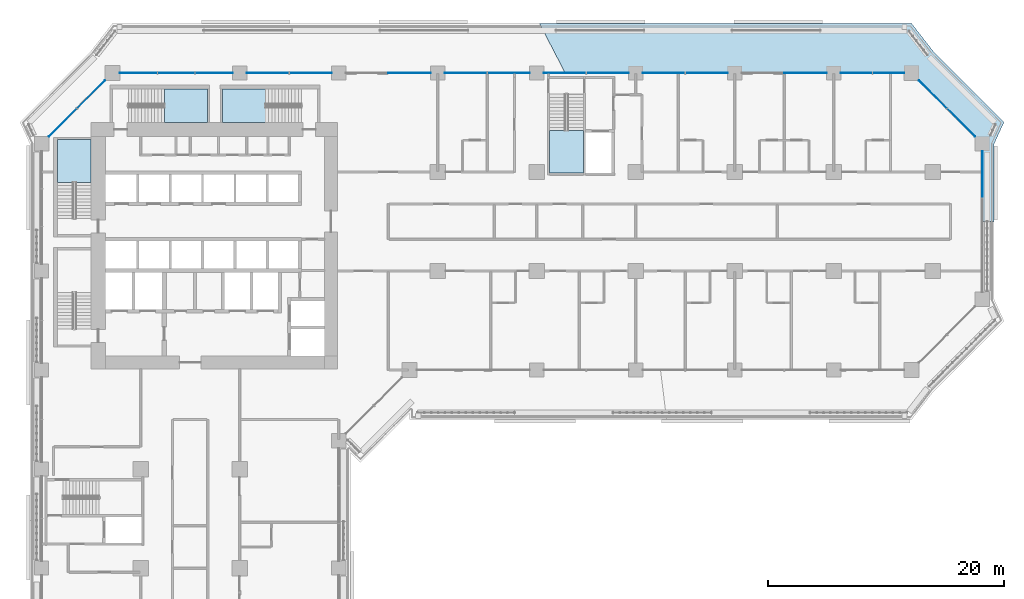
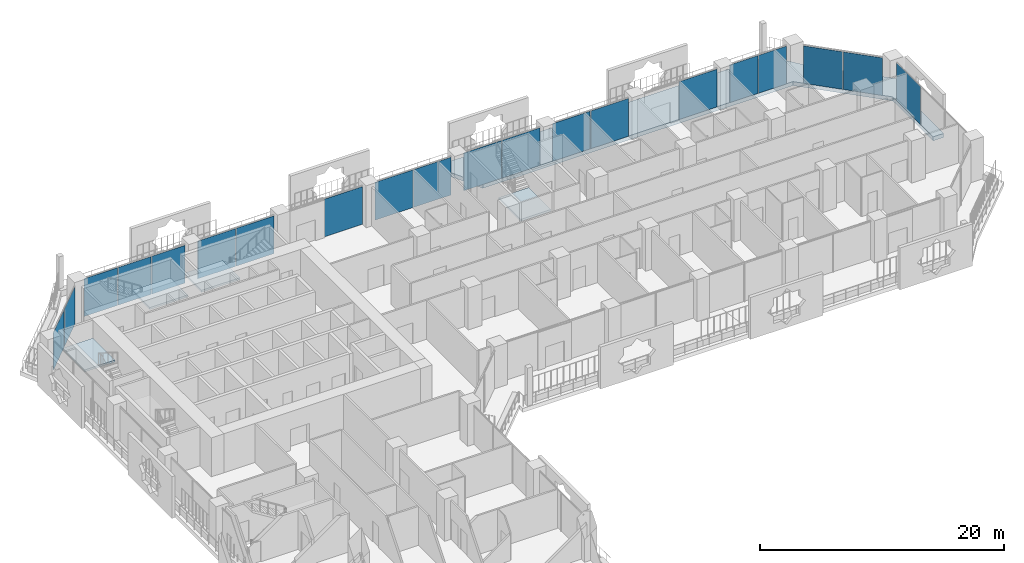
# One storey, part 12 of 28: 20 plates, 5 slabs, 8 elements without a shape of their own.
"""IFC4 building model written with IfcOpenShell, lengths in metres."""

from ifc_helpers import new_model, si_unit, direction, frame, origin, origin_2d, place, context, subcontext, project, spatial, polyline, rectangle, outline, extrude, material, layer, layer_set, type_object, element, aggregate, save


model = new_model("IFC4")

# Units and contexts
model_context = context("Model", 3, precision=1e-05, world=origin(), true_north=direction((0.0, 1.0)))
body_context = subcontext(model_context, "Body", "Model", "MODEL_VIEW")
ifc_project = project(units=[si_unit("LENGTHUNIT", "METRE"), si_unit("AREAUNIT", "SQUARE_METRE"), si_unit("VOLUMEUNIT", "CUBIC_METRE"), si_unit("PLANEANGLEUNIT", "RADIAN"), si_unit("MASSUNIT", "GRAM", prefix="KILO")], contexts=[model_context])

# Site, building, storey
site_placement = place(None, origin())
site = spatial("IfcSite", under=ifc_project, at=site_placement, CompositionType="ELEMENT")
building_placement = place(site_placement, origin())
building = spatial("IfcBuilding", under=site, at=building_placement, Name="Kawkab Arch Medical Tower", CompositionType="ELEMENT")
storey_placement = place(building_placement, frame((0.0, 0.0, 68.60009765625)))
storey = spatial("IfcBuildingStorey", under=building, at=storey_placement, Name="L15", CompositionType="ELEMENT", Elevation=68.60009765625)

# Curtain wall, plate
ifc_material_1 = material(Name="Bronze anodised aluminium curtain wall frame", Category="aluminium")
ifc_layer_1 = layer(ifc_material_1, 0.159912109375)
ifc_layer_set_1 = layer_set([ifc_layer_1], Name="Bronze anodised aluminium curtain wall frame")
curtain_wall_type_1 = type_object("IfcCurtainWallType", Name="CW1 ward curtain wall", PredefinedType="NOTDEFINED", material=ifc_layer_set_1)
placement_1 = place(storey_placement, origin())
curtain_wall_1 = element("IfcCurtainWall", 1, at=placement_1, inside=storey, type_object=curtain_wall_type_1, Name="CW1 Ward curtain wall R09", PredefinedType="NOTDEFINED")
ifc_material_2 = material(Name="Tinted insulating glass, bronze low-e coating", Category="glass")
ifc_layer_2 = layer(ifc_material_2, 0.031982421875)
ifc_layer_set_2 = layer_set([ifc_layer_2], Name="Tinted insulating glass, bronze low-e coating")
plate_type_1 = type_object("IfcPlateType", Name="CW1 glazing unit 32", PredefinedType="CURTAIN_PANEL", material=ifc_layer_set_2)
plate_1_placement = place(storey_placement, frame((79.800048828125, -8.6015625, 0.0), z_axis=(0.0, 0.0, 1.0), x_axis=(0.0, 1.0, 0.0)))
plate_1 = element("IfcPlate", 2, at=plate_1_placement, type_object=plate_type_1, Name="CW1 glazing unit 1.3", PredefinedType="CURTAIN_PANEL", context=body_context, shape_type="SweptSolid", body=[
    extrude(rectangle(XDim=3.953369140625, YDim=0.031982421875, at=origin_2d()), origin(), (0.0, 0.0, 1.0), 3.780029296875),
])
aggregate(curtain_wall_1, [plate_1])

# Curtain wall, plates
curtain_wall_2 = element("IfcCurtainWall", 3, at=placement_1, inside=storey, type_object=curtain_wall_type_1, Name="CW1 Ward curtain wall R11", PredefinedType="NOTDEFINED")
plate_2_placement = place(storey_placement, frame((71.84619140625, 0.0, 0.0), z_axis=(0.0, 0.0, 1.0), x_axis=(-1.0, 0.0, 0.0)))
plate_2 = element("IfcPlate", 4, at=plate_2_placement, type_object=plate_type_1, Name="CW1 glazing unit 1.1", PredefinedType="CURTAIN_PANEL", context=body_context, shape_type="SweptSolid", body=[
    extrude(rectangle(XDim=2.657470703125, YDim=0.031982421875, at=origin_2d()), origin(), (0.0, 0.0, 1.0), 3.780029296875),
])
plate_3_placement = place(storey_placement, frame((69.128662109375, 0.0, 0.0), z_axis=(0.0, 0.0, 1.0), x_axis=(-1.0, 0.0, 0.0)))
plate_3 = element("IfcPlate", 5, at=plate_3_placement, type_object=plate_type_1, Name="CW1 glazing unit 1.2", PredefinedType="CURTAIN_PANEL", context=body_context, shape_type="SweptSolid", body=[
    extrude(rectangle(XDim=2.657470703125, YDim=0.031982421875, at=origin_2d()), origin(), (0.0, 0.0, 1.0), 3.780029296875),
])
plate_4_placement = place(storey_placement, frame((64.800048828125, 0.0, 0.0), z_axis=(0.0, 0.0, 1.0), x_axis=(-1.0, 0.0, 0.0)))
plate_4 = element("IfcPlate", 6, at=plate_4_placement, type_object=plate_type_1, Name="CW1 glazing unit 2.1", PredefinedType="CURTAIN_PANEL", context=body_context, shape_type="SweptSolid", body=[
    extrude(rectangle(XDim=3.60009765625, YDim=0.031982421875, at=origin_2d()), origin(), (0.0, 0.0, 1.0), 3.780029296875),
])
plate_5_placement = place(storey_placement, frame((56.4150390625, 0.0, 0.0), z_axis=(0.0, 0.0, 1.0), x_axis=(-1.0, 0.0, 0.0)))
plate_5 = element("IfcPlate", 7, at=plate_5_placement, type_object=plate_type_1, Name="CW1 glazing unit 3.1", PredefinedType="CURTAIN_PANEL", context=body_context, shape_type="SweptSolid", body=[
    extrude(rectangle(XDim=3.570068359375, YDim=0.031982421875, at=origin_2d()), origin(), (0.0, 0.0, 1.0), 3.780029296875),
])
plate_6_placement = place(storey_placement, frame((52.784912109375, 0.0, 0.0), z_axis=(0.0, 0.0, 1.0), x_axis=(-1.0, 0.0, 0.0)))
plate_6 = element("IfcPlate", 8, at=plate_6_placement, type_object=plate_type_1, Name="CW1 glazing unit 3.2", PredefinedType="CURTAIN_PANEL", context=body_context, shape_type="SweptSolid", body=[
    extrude(rectangle(XDim=3.570068359375, YDim=0.031982421875, at=origin_2d()), origin(), (0.0, 0.0, 1.0), 3.780029296875),
])
plate_7_placement = place(storey_placement, frame((48.014892578125, 0.0, 0.0), z_axis=(0.0, 0.0, 1.0), x_axis=(-1.0, 0.0, 0.0)))
plate_7 = element("IfcPlate", 9, at=plate_7_placement, type_object=plate_type_1, Name="CW1 glazing unit 4.1", PredefinedType="CURTAIN_PANEL", context=body_context, shape_type="SweptSolid", body=[
    extrude(rectangle(XDim=3.570068359375, YDim=0.031982421875, at=origin_2d()), origin(), (0.0, 0.0, 1.0), 3.780029296875),
])
plate_8_placement = place(storey_placement, frame((44.385009765625, 0.0, 0.0), z_axis=(0.0, 0.0, 1.0), x_axis=(-1.0, 0.0, 0.0)))
plate_8 = element("IfcPlate", 10, at=plate_8_placement, type_object=plate_type_1, Name="CW1 glazing unit 4.2", PredefinedType="CURTAIN_PANEL", context=body_context, shape_type="SweptSolid", body=[
    extrude(rectangle(XDim=3.570068359375, YDim=0.031982421875, at=origin_2d()), origin(), (0.0, 0.0, 1.0), 3.780029296875),
])
plate_9_placement = place(storey_placement, frame((39.614990234375, 0.0, 0.0), z_axis=(0.0, 0.0, 1.0), x_axis=(-1.0, 0.0, 0.0)))
plate_9 = element("IfcPlate", 11, at=plate_9_placement, type_object=plate_type_1, Name="CW1 glazing unit 5.1", PredefinedType="CURTAIN_PANEL", context=body_context, shape_type="SweptSolid", body=[
    extrude(rectangle(XDim=3.570068359375, YDim=0.031982421875, at=origin_2d()), origin(), (0.0, 0.0, 1.0), 3.780029296875),
])
plate_10_placement = place(storey_placement, frame((35.985107421875, 0.0, 0.0), z_axis=(0.0, 0.0, 1.0), x_axis=(-1.0, 0.0, 0.0)))
plate_10 = element("IfcPlate", 12, at=plate_10_placement, type_object=plate_type_1, Name="CW1 glazing unit 5.2", PredefinedType="CURTAIN_PANEL", context=body_context, shape_type="SweptSolid", body=[
    extrude(rectangle(XDim=3.570068359375, YDim=0.031982421875, at=origin_2d()), origin(), (0.0, 0.0, 1.0), 3.780029296875),
])
plate_11_placement = place(storey_placement, frame((31.199951171875, 0.0, 0.0), z_axis=(0.0, 0.0, 1.0), x_axis=(-1.0, 0.0, 0.0)))
plate_11 = element("IfcPlate", 13, at=plate_11_placement, type_object=plate_type_1, Name="CW1 glazing unit 6.1", PredefinedType="CURTAIN_PANEL", context=body_context, shape_type="SweptSolid", body=[
    extrude(rectangle(XDim=3.60009765625, YDim=0.031982421875, at=origin_2d()), origin(), (0.0, 0.0, 1.0), 3.780029296875),
])
plate_12_placement = place(storey_placement, frame((22.81494140625, 0.0, 0.0), z_axis=(0.0, 0.0, 1.0), x_axis=(-1.0, 0.0, 0.0)))
plate_12 = element("IfcPlate", 14, at=plate_12_placement, type_object=plate_type_1, Name="CW1 glazing unit 7.1", PredefinedType="CURTAIN_PANEL", context=body_context, shape_type="SweptSolid", body=[
    extrude(rectangle(XDim=3.570068359375, YDim=0.031982421875, at=origin_2d()), origin(), (0.0, 0.0, 1.0), 3.780029296875),
])
plate_13_placement = place(storey_placement, frame((19.18505859375, 0.0, 0.0), z_axis=(0.0, 0.0, 1.0), x_axis=(-1.0, 0.0, 0.0)))
plate_13 = element("IfcPlate", 15, at=plate_13_placement, type_object=plate_type_1, Name="CW1 glazing unit 7.2", PredefinedType="CURTAIN_PANEL", context=body_context, shape_type="SweptSolid", body=[
    extrude(rectangle(XDim=3.570068359375, YDim=0.031982421875, at=origin_2d()), origin(), (0.0, 0.0, 1.0), 3.780029296875),
])
plate_14_placement = place(storey_placement, frame((14.619140625, 0.0, 0.0), z_axis=(0.0, 0.0, 1.0), x_axis=(-1.0, 0.0, 0.0)))
plate_14 = element("IfcPlate", 16, at=plate_14_placement, type_object=plate_type_1, Name="CW1 glazing unit 8.1", PredefinedType="CURTAIN_PANEL", context=body_context, shape_type="SweptSolid", body=[
    extrude(rectangle(XDim=3.16162109375, YDim=0.031982421875, at=origin_2d()), origin(), (0.0, 0.0, 1.0), 3.780029296875),
])
plate_15_placement = place(storey_placement, frame((11.41259765625, 0.0, 0.0), z_axis=(0.0, 0.0, 1.0), x_axis=(-1.0, 0.0, 0.0)))
plate_15 = element("IfcPlate", 17, at=plate_15_placement, type_object=plate_type_1, Name="CW1 glazing unit 8.2", PredefinedType="CURTAIN_PANEL", context=body_context, shape_type="SweptSolid", body=[
    extrude(rectangle(XDim=3.131591796875, YDim=0.031982421875, at=origin_2d()), origin(), (0.0, 0.0, 1.0), 3.780029296875),
])
plate_16_placement = place(storey_placement, frame((8.205810546875, 0.0, 0.0), z_axis=(0.0, 0.0, 1.0), x_axis=(-1.0, 0.0, 0.0)))
plate_16 = element("IfcPlate", 18, at=plate_16_placement, type_object=plate_type_1, Name="CW1 glazing unit 8.3", PredefinedType="CURTAIN_PANEL", context=body_context, shape_type="SweptSolid", body=[
    extrude(rectangle(XDim=3.16162109375, YDim=0.031982421875, at=origin_2d()), origin(), (0.0, 0.0, 1.0), 3.780029296875),
])
aggregate(curtain_wall_2, [plate_2, plate_3, plate_4, plate_5, plate_6, plate_7, plate_8, plate_9, plate_10, plate_11, plate_12, plate_13, plate_14, plate_15, plate_16])

ifc_material_3 = material(Name="Bronze anodised aluminium curtain wall frame", Category="aluminium")
ifc_layer_3 = layer(ifc_material_3, 0.159912109375)
ifc_layer_set_3 = layer_set([ifc_layer_3], Name="Bronze anodised aluminium curtain wall frame")
curtain_wall_type_2 = type_object("IfcCurtainWallType", Name="CW2 chamfer curtain wall", PredefinedType="NOTDEFINED", material=ifc_layer_set_3)
curtain_wall_3 = element("IfcCurtainWall", 19, at=placement_1, inside=storey, type_object=curtain_wall_type_2, Name="CW2 Chamfer curtain wall R10", PredefinedType="NOTDEFINED")
ifc_material_4 = material(Name="Tinted insulating glass, bronze low-e coating", Category="glass")
ifc_layer_4 = layer(ifc_material_4, 0.031982421875)
ifc_layer_set_4 = layer_set([ifc_layer_4], Name="Tinted insulating glass, bronze low-e coating")
plate_type_2 = type_object("IfcPlateType", Name="CW2 glazing unit 32", PredefinedType="CURTAIN_PANEL", material=ifc_layer_set_4)
plate_17_placement = place(storey_placement, frame((77.998046875, -4.197998046875, 0.0), z_axis=(0.0, 0.0, 1.0), x_axis=(-0.707106781187, 0.707106781187, 0.0)))
plate_17 = element("IfcPlate", 20, at=plate_17_placement, type_object=plate_type_2, Name="CW2 glazing unit 1.1", PredefinedType="CURTAIN_PANEL", context=body_context, shape_type="SweptSolid", body=[
    extrude(rectangle(XDim=3.328857421875, YDim=0.031982421875, at=origin_2d()), origin(), (0.0, 0.0, 1.0), 3.760009765625),
])
plate_18_placement = place(storey_placement, frame((75.601806640625, -1.802001953125, 0.0), z_axis=(0.0, 0.0, 1.0), x_axis=(-0.707106781187, 0.707106781187, 0.0)))
plate_18 = element("IfcPlate", 21, at=plate_18_placement, type_object=plate_type_2, Name="CW2 glazing unit 1.2", PredefinedType="CURTAIN_PANEL", context=body_context, shape_type="SweptSolid", body=[
    extrude(rectangle(XDim=3.328857421875, YDim=0.031982421875, at=origin_2d()), origin(), (0.0, 0.0, 1.0), 3.760009765625),
])
aggregate(curtain_wall_3, [plate_17, plate_18])

curtain_wall_4 = element("IfcCurtainWall", 22, at=placement_1, inside=storey, type_object=curtain_wall_type_2, Name="CW2 Chamfer curtain wall R12", PredefinedType="NOTDEFINED")
plate_19_placement = place(storey_placement, frame((4.197998046875, -1.802001953125, 0.0), z_axis=(0.0, 0.0, 1.0), x_axis=(-0.707106781187, -0.707106781187, 0.0)))
plate_19 = element("IfcPlate", 23, at=plate_19_placement, type_object=plate_type_2, Name="CW2 glazing unit 1.1", PredefinedType="CURTAIN_PANEL", context=body_context, shape_type="SweptSolid", body=[
    extrude(rectangle(XDim=3.328857421875, YDim=0.031982421875, at=origin_2d()), origin(), (0.0, 0.0, 1.0), 3.760009765625),
])
plate_20_placement = place(storey_placement, frame((1.802001953125, -4.197998046875, 0.0), z_axis=(0.0, 0.0, 1.0), x_axis=(-0.707106781187, -0.707106781187, 0.0)))
plate_20 = element("IfcPlate", 24, at=plate_20_placement, type_object=plate_type_2, Name="CW2 glazing unit 1.2", PredefinedType="CURTAIN_PANEL", context=body_context, shape_type="SweptSolid", body=[
    extrude(rectangle(XDim=3.328857421875, YDim=0.031982421875, at=origin_2d()), origin(), (0.0, 0.0, 1.0), 3.760009765625),
])
aggregate(curtain_wall_4, [plate_19, plate_20])

# Stair, slab
ifc_material_5 = material(Name="Concrete C40/50", Category="concrete")
stair_type = type_object("IfcStairType", Name="Exit stair 1350", PredefinedType="HALF_TURN_STAIR", material=ifc_material_5)
stair_1 = element("IfcStair", 25, at=placement_1, inside=storey, type_object=stair_type, Name="L15 Exit stair ST1", PredefinedType="HALF_TURN_STAIR")
ifc_material_6 = material(Name="Concrete C40/50", Category="concrete")
ifc_layer_5 = layer(ifc_material_6, 0.199951171875)
ifc_layer_set_5 = layer_set([ifc_layer_5], Name="Concrete C40/50")
slab_type_1 = type_object("IfcSlabType", Name="Exit stair landing 200", PredefinedType="LANDING", material=ifc_layer_set_5)
placement_2 = place(storey_placement, frame((0.0, 0.0, 1.89990234375)))
slab_1 = element("IfcSlab", 26, at=placement_2, type_object=slab_type_1, Name="ST1 landing 1", PredefinedType="LANDING", context=body_context, shape_type="SweptSolid", body=[
    extrude(outline(polyline([(4.199951171875, -9.27001953125), (4.199951171875, -5.64990234375), (1.35009765625, -5.64990234375), (1.35009765625, -9.27001953125), (4.199951171875, -9.27001953125)])), origin(), (0.0, 0.0, 1.0), 0.199951171875),
])
aggregate(stair_1, [slab_1])

stair_2 = element("IfcStair", 27, at=placement_1, inside=storey, type_object=stair_type, Name="L15 Exit stair ST3", PredefinedType="HALF_TURN_STAIR")
slab_2 = element("IfcSlab", 28, at=placement_2, type_object=slab_type_1, Name="ST3 landing 1", PredefinedType="LANDING", context=body_context, shape_type="SweptSolid", body=[
    extrude(outline(polyline([(10.429931640625, -4.199951171875), (14.050048828125, -4.199951171875), (14.050048828125, -1.35009765625), (10.429931640625, -1.35009765625), (10.429931640625, -4.199951171875)])), origin(), (0.0, 0.0, 1.0), 0.199951171875),
])
aggregate(stair_2, [slab_2])

stair_3 = element("IfcStair", 29, at=placement_1, inside=storey, type_object=stair_type, Name="L15 Exit stair ST4", PredefinedType="HALF_TURN_STAIR")
slab_3 = element("IfcSlab", 30, at=placement_2, type_object=slab_type_1, Name="ST4 landing 1", PredefinedType="LANDING", context=body_context, shape_type="SweptSolid", body=[
    extrude(outline(polyline([(18.969970703125, -1.35009765625), (15.35009765625, -1.35009765625), (15.35009765625, -4.199951171875), (18.969970703125, -4.199951171875), (18.969970703125, -1.35009765625)])), origin(), (0.0, 0.0, 1.0), 0.199951171875),
])
aggregate(stair_3, [slab_3])

stair_4 = element("IfcStair", 31, at=placement_1, inside=storey, type_object=stair_type, Name="L15 Exit stair ST5", PredefinedType="HALF_TURN_STAIR")
slab_4 = element("IfcSlab", 32, at=placement_2, type_object=slab_type_1, Name="ST5 landing 1", PredefinedType="LANDING", context=body_context, shape_type="SweptSolid", body=[
    extrude(outline(polyline([(43.10009765625, -4.8798828125), (43.10009765625, -8.5), (45.949951171875, -8.5), (45.949951171875, -4.8798828125), (43.10009765625, -4.8798828125)])), origin(), (0.0, 0.0, 1.0), 0.199951171875),
])
aggregate(stair_4, [slab_4])

# Slab
ifc_material_7 = material(Name="Concrete C40/50", Category="concrete")
ifc_layer_6 = layer(ifc_material_7, 0.39990234375)
ifc_layer_set_6 = layer_set([ifc_layer_6], Name="Concrete C40/50")
slab_type_2 = type_object("IfcSlabType", Name="Loggia slab 400", PredefinedType="FLOOR", material=ifc_layer_set_6)
slab_5_placement = place(storey_placement, frame((0.0, 0.0, -0.400146484375)))
element("IfcSlab", 33, at=slab_5_placement, inside=storey, type_object=slab_type_2, Name="Loggia slab L15.6", PredefinedType="FLOOR", context=body_context, shape_type="SweptSolid", body=[
    extrude(outline(polyline([(75.637939453125, 1.837890625), (81.637939453125, -4.162109375), (80.800048828125, -6.0), (80.800048828125, -12.60009765625), (79.800048828125, -12.60009765625), (79.800048828125, -6.0), (73.800048828125, 0.0), (73.800048828125, 0.0009765625), (44.410888671875, 0.0009765625), (42.23388671875, 4.199951171875), (73.800048828125, 4.199951171875), (75.637939453125, 1.837890625)])), origin(), (0.0, 0.0, 1.0), 0.400146484375),
])

save(model, "model.ifc")
